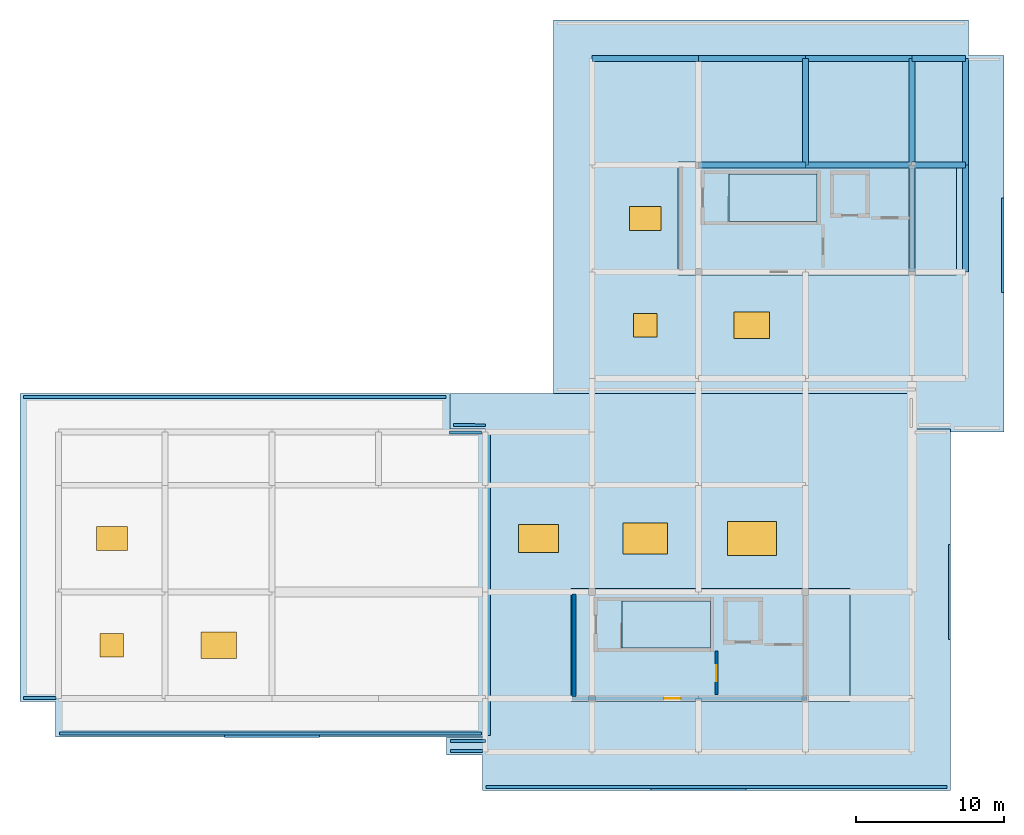
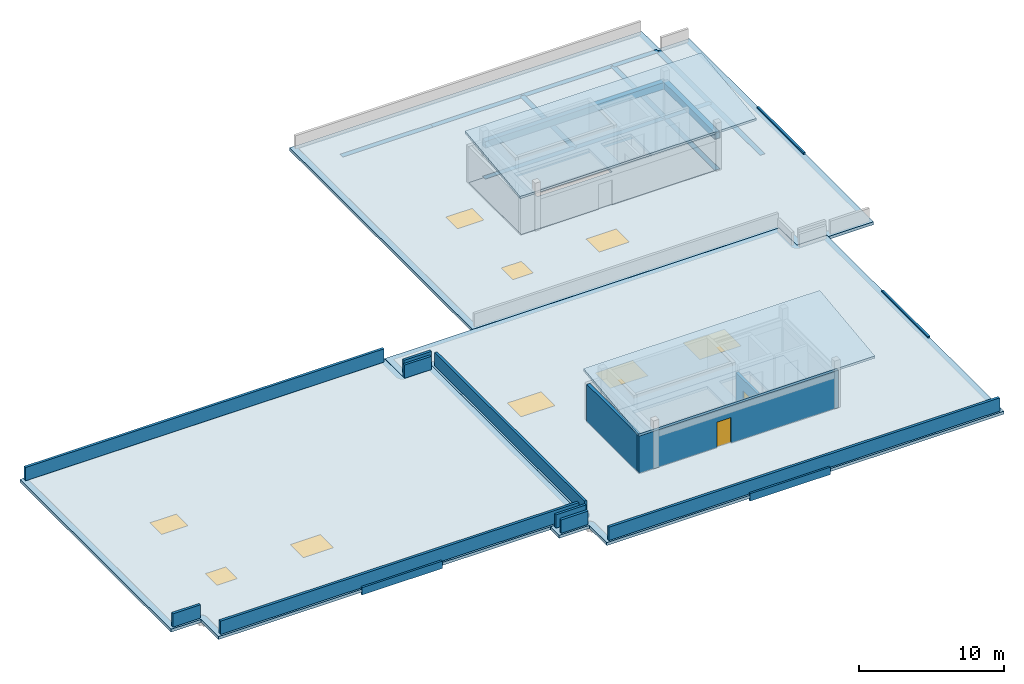
# One storey, part 2 of 4: 14 beams, 12 walls, 9 windows, 7 slabs, 4 plates, 2 doors, 11 openings.
"""IFC4 building model written with IfcOpenShell, lengths in metres."""

from ifc_helpers import new_model, si_unit, direction, frame, frame_2d, origin, origin_2d, place, context, subcontext, project, spatial, polyline, rectangle, outline, extrude, material, layer, layer_set, material_profile, profile_set, type_object, element, fill, save


model = new_model("IFC4")

# Units and contexts
model_context = context("Model", 3, precision=1e-05, world=origin(), true_north=direction((0.0, 1.0)))
body_context = subcontext(model_context, "Body", "Model", "MODEL_VIEW")
ifc_project = project(units=[si_unit("LENGTHUNIT", "METRE"), si_unit("AREAUNIT", "SQUARE_METRE"), si_unit("VOLUMEUNIT", "CUBIC_METRE"), si_unit("PLANEANGLEUNIT", "RADIAN"), si_unit("MASSUNIT", "GRAM", prefix="KILO")], contexts=[model_context])

# Site, building, storey
site_placement = place(None, origin())
site = spatial("IfcSite", under=ifc_project, at=site_placement, CompositionType="ELEMENT")
building_placement = place(site_placement, origin())
building = spatial("IfcBuilding", under=site, at=building_placement, Name="Seraya Terrace Polytechnic", CompositionType="ELEMENT")
storey_placement = place(building_placement, frame((0.0, 0.0, 36.89990234375)))
storey = spatial("IfcBuildingStorey", under=building, at=storey_placement, Name="RF", CompositionType="ELEMENT", Elevation=36.89990234375)

# Beams
ifc_material_1 = material(Name="Concrete C40/50", Category="concrete")
ifc_material_profile_1 = material_profile(ifc_material_1, rectangle(XDim=0.39990234375, YDim=0.699951171875, at=origin_2d()), Name="RC 400x700")
ifc_profile_set_1 = profile_set([ifc_material_profile_1], Name="Concrete C40/50")
beam_type_1 = type_object("IfcBeamType", Name="BM-10", PredefinedType="BEAM", material=ifc_profile_set_1)
beam_1_placement = place(storey_placement, frame((86.39990234375, 43.199951171875, -0.349853515625), z_axis=(1.0, 0.0, 0.0), x_axis=(0.0, 1.0, 0.0)))
element("IfcBeam", 1, at=beam_1_placement, inside=storey, type_object=beam_type_1, Name="Beam BM-10 RF X (86.4..93.6, 43.2)", PredefinedType="BEAM", context=body_context, shape_type="SweptSolid", body=[
    extrude(rectangle(XDim=0.39990234375, YDim=0.699951171875, at=origin_2d()), origin(), (0.0, 0.0, 1.0), 7.2001953125),
])
beam_2_placement = place(storey_placement, frame((93.60009765625, 43.199951171875, -0.349853515625), z_axis=(1.0, 0.0, 0.0), x_axis=(0.0, 1.0, 0.0)))
element("IfcBeam", 2, at=beam_2_placement, inside=storey, type_object=beam_type_1, Name="Beam BM-10 RF X (93.6..100.8, 43.2)", PredefinedType="BEAM", context=body_context, shape_type="SweptSolid", body=[
    extrude(rectangle(XDim=0.39990234375, YDim=0.699951171875, at=origin_2d()), origin(), (0.0, 0.0, 1.0), 7.199951171875),
])
beam_3_placement = place(storey_placement, frame((100.800048828125, 43.199951171875, -0.349853515625), z_axis=(1.0, 0.0, 0.0), x_axis=(0.0, 1.0, 0.0)))
element("IfcBeam", 3, at=beam_3_placement, inside=storey, type_object=beam_type_1, Name="Beam BM-10 RF X (100.8..104.4, 43.2)", PredefinedType="BEAM", context=body_context, shape_type="SweptSolid", body=[
    extrude(rectangle(XDim=0.39990234375, YDim=0.699951171875, at=origin_2d()), origin(), (0.0, 0.0, 1.0), 3.599853515625),
])
beam_4_placement = place(storey_placement, frame((79.199951171875, 50.39990234375, -0.349853515625), z_axis=(1.0, 0.0, 0.0), x_axis=(0.0, 1.0, 0.0)))
element("IfcBeam", 4, at=beam_4_placement, inside=storey, type_object=beam_type_1, Name="Beam BM-10 RF X (79.2..86.4, 50.4)", PredefinedType="BEAM", context=body_context, shape_type="SweptSolid", body=[
    extrude(rectangle(XDim=0.39990234375, YDim=0.699951171875, at=origin_2d()), origin(), (0.0, 0.0, 1.0), 7.199951171875),
])
beam_5_placement = place(storey_placement, frame((86.39990234375, 50.39990234375, -0.349853515625), z_axis=(1.0, 0.0, 0.0), x_axis=(0.0, 1.0, 0.0)))
element("IfcBeam", 5, at=beam_5_placement, inside=storey, type_object=beam_type_1, Name="Beam BM-10 RF X (86.4..93.6, 50.4)", PredefinedType="BEAM", context=body_context, shape_type="SweptSolid", body=[
    extrude(rectangle(XDim=0.39990234375, YDim=0.699951171875, at=origin_2d()), origin(), (0.0, 0.0, 1.0), 7.2001953125),
])
beam_6_placement = place(storey_placement, frame((93.60009765625, 50.39990234375, -0.349853515625), z_axis=(1.0, 0.0, 0.0), x_axis=(0.0, 1.0, 0.0)))
element("IfcBeam", 6, at=beam_6_placement, inside=storey, type_object=beam_type_1, Name="Beam BM-10 RF X (93.6..100.8, 50.4)", PredefinedType="BEAM", context=body_context, shape_type="SweptSolid", body=[
    extrude(rectangle(XDim=0.39990234375, YDim=0.699951171875, at=origin_2d()), origin(), (0.0, 0.0, 1.0), 7.199951171875),
])
beam_7_placement = place(storey_placement, frame((100.800048828125, 50.39990234375, -0.349853515625), z_axis=(1.0, 0.0, 0.0), x_axis=(0.0, 1.0, 0.0)))
element("IfcBeam", 7, at=beam_7_placement, inside=storey, type_object=beam_type_1, Name="Beam BM-10 RF X (100.8..104.4, 50.4)", PredefinedType="BEAM", context=body_context, shape_type="SweptSolid", body=[
    extrude(rectangle(XDim=0.39990234375, YDim=0.699951171875, at=origin_2d()), origin(), (0.0, 0.0, 1.0), 3.599853515625),
])
for number, where, z_axis, x_axis, name in (
    (8, (93.60009765625, 43.199951171875, -0.349853515625), (0.0, 1.0, 0.0), (-1.0, 0.0, 0.0), "Beam BM-10 RF Y (93.6, 43.2..50.4)"),
    (9, (100.800048828125, 36.0, -0.349853515625), (0.0, 1.0, 0.0), (-1.0, 0.0, 0.0), "Beam BM-10 RF Y (100.8, 36.0..43.2)"),
    (10, (100.800048828125, 43.199951171875, -0.349853515625), (0.0, 1.0, 0.0), (-1.0, 0.0, 0.0), "Beam BM-10 RF Y (100.8, 43.2..50.4)"),
    (11, (104.39990234375, 36.0, -0.349853515625), (0.0, 1.0, 0.0), (-1.0, 0.0, 0.0), "Beam BM-10 RF Y (104.4, 36.0..43.2)"),
    (12, (104.39990234375, 43.199951171875, -0.349853515625), (0.0, 1.0, 0.0), (-1.0, 0.0, 0.0), "Beam BM-10 RF Y (104.4, 43.2..50.4)"),
):
    element("IfcBeam", number, at=place(storey_placement, frame(where, z_axis=z_axis, x_axis=x_axis)), inside=storey, type_object=beam_type_1, Name=name, PredefinedType="BEAM", context=body_context, shape_type="SweptSolid", body=[
        extrude(rectangle(XDim=0.39990234375, YDim=0.699951171875, at=origin_2d()), origin(), (0.0, 0.0, 1.0), 7.199951171875),
    ])
ifc_material_profile_2 = material_profile(ifc_material_1, rectangle(XDim=0.39990234375, YDim=0.550048828125, at=origin_2d()), Name="RC 400x550")
ifc_profile_set_2 = profile_set([ifc_material_profile_2], Name="Concrete C40/50")
beam_type_2 = type_object("IfcBeamType", Name="BM-11", PredefinedType="BEAM", material=ifc_profile_set_2)
beam_8_placement = place(storey_placement, frame((86.39990234375, 43.199951171875, 2.875), z_axis=(1.0, 0.0, 0.0), x_axis=(0.0, 1.0, 0.0)))
element("IfcBeam", 13, at=beam_8_placement, inside=storey, type_object=beam_type_2, Name="Headhouse roof tie beam BM-RF-HHB-N", PredefinedType="BEAM", context=body_context, shape_type="SweptSolid", body=[
    extrude(rectangle(XDim=0.39990234375, YDim=0.550048828125, at=origin_2d()), origin(), (0.0, 0.0, 1.0), 14.400146484375),
])
beam_9_placement = place(storey_placement, frame((100.800048828125, 36.0, 2.875), z_axis=(0.0, 1.0, 0.0), x_axis=(-1.0, 0.0, 0.0)))
element("IfcBeam", 14, at=beam_9_placement, inside=storey, type_object=beam_type_2, Name="Headhouse roof tie beam BM-RF-HHB-E", PredefinedType="BEAM", context=body_context, shape_type="SweptSolid", body=[
    extrude(rectangle(XDim=0.39990234375, YDim=0.550048828125, at=origin_2d()), origin(), (0.0, 0.0, 1.0), 7.199951171875),
])

# Plates
ifc_material_2 = material(Name="Precast concrete C40/50", Category="concrete")
ifc_layer_1 = layer(ifc_material_2, 0.159912109375, Name="FP-01")
ifc_layer_set_1 = layer_set([ifc_layer_1], Name="Precast concrete C40/50")
plate_type = type_object("IfcPlateType", Name="FP-01", PredefinedType="SHEET", material=ifc_layer_set_1)
for number, where, z_axis, x_axis, name in (
    (15, (57.60009765625, 4.669921875, -0.489990234375), (0.0, 0.0, 1.0), (1.0, 0.0, 0.0), "Sculpted white precast eave fascia ROOF-RF-SW South"),
    (16, (86.39990234375, 1.070068359375, -0.489990234375), (0.0, 0.0, 1.0), (1.0, 0.0, 0.0), "Sculpted white precast eave fascia ROOF-RF-SE South"),
    (17, (103.330078125, 14.39990234375, -0.489990234375), (0.0, 0.0, 1.0), (0.0, 1.0, 0.0), "Sculpted white precast eave fascia ROOF-RF-SE East"),
    (18, (106.929931640625, 37.800048828125, -0.489990234375), (0.0, 0.0, 1.0), (0.0, 1.0, 0.0), "Sculpted white precast eave fascia ROOF-RF-SPINE East"),
):
    element("IfcPlate", number, at=place(storey_placement, frame(where, z_axis=z_axis, x_axis=x_axis)), inside=storey, type_object=plate_type, Name=name, PredefinedType="SHEET", context=body_context, shape_type="SweptSolid", body=[
        extrude(rectangle(XDim=6.39990234375, YDim=0.159912109375, at=origin_2d()), origin(), (0.0, 0.0, 1.0), 0.6201171875),
    ])

# Slabs
ifc_layer_2 = layer(ifc_material_1, 0.239990234375, Name="FS-12")
ifc_layer_set_2 = layer_set([ifc_layer_2], Name="Concrete C40/50")
slab_type_1 = type_object("IfcSlabType", Name="FS-12", PredefinedType="FLOOR", material=ifc_layer_set_2)
slab_1_placement = place(storey_placement, frame((0.0, 0.0, -0.239990234375)))
element("IfcSlab", 19, at=slab_1_placement, inside=storey, type_object=slab_type_1, Name="Floor slab SLB-RF-HEADHOUSE-A (FS-12)", PredefinedType="FLOOR", context=body_context, shape_type="SweptSolid", body=[
    extrude(outline(polyline([(78.0, 7.199951171875), (78.0, 14.39990234375), (93.60009765625, 14.39990234375), (93.60009765625, 7.199951171875), (78.0, 7.199951171875)]), holes=[polyline([(81.239990234375, 10.60009765625), (87.199951171875, 10.60009765625), (87.199951171875, 13.800048828125), (81.239990234375, 13.800048828125), (81.239990234375, 10.60009765625)]), polyline([(88.199951171875, 11.0), (90.60009765625, 11.0), (90.60009765625, 13.89990234375), (88.199951171875, 13.89990234375), (88.199951171875, 11.0)])]), origin(), (0.0, 0.0, 1.0), 0.239990234375),
])
slab_2_placement = place(storey_placement, frame((0.0, 0.0, -0.239990234375)))
element("IfcSlab", 20, at=slab_2_placement, inside=storey, type_object=slab_type_1, Name="Floor slab SLB-RF-HEADHOUSE-B (FS-12)", PredefinedType="FLOOR", context=body_context, shape_type="SweptSolid", body=[
    extrude(outline(polyline([(85.199951171875, 36.0), (85.199951171875, 43.199951171875), (100.800048828125, 43.199951171875), (100.800048828125, 36.0), (85.199951171875, 36.0)]), holes=[polyline([(88.43994140625, 39.39990234375), (94.39990234375, 39.39990234375), (94.39990234375, 42.60009765625), (88.43994140625, 42.60009765625), (88.43994140625, 39.39990234375)]), polyline([(95.39990234375, 39.800048828125), (97.800048828125, 39.800048828125), (97.800048828125, 42.699951171875), (95.39990234375, 42.699951171875), (95.39990234375, 39.800048828125)])]), origin(), (0.0, 0.0, 1.0), 0.239990234375),
])

# Slab, openings, windows
ifc_layer_3 = layer(ifc_material_2, 0.25, Name="RS-01")
ifc_layer_set_3 = layer_set([ifc_layer_3], Name="Precast concrete C40/50")
slab_type_2 = type_object("IfcSlabType", Name="RS-01", PredefinedType="ROOF", material=ifc_layer_set_3)
slab_3_placement = place(storey_placement, frame((0.0, 0.0, -0.25)))
slab_3 = element("IfcSlab", 21, at=slab_3_placement, inside=storey, type_object=slab_type_2, Name="Sculpted overhanging precast roof plate ROOF-RF-SW", PredefinedType="ROOF", context=body_context, shape_type="SweptSolid", body=[
    extrude(outline(polyline([(43.0, 7.0), (40.60009765625, 7.0), (40.60009765625, 27.800048828125), (69.60009765625, 27.800048828125), (69.60009765625, 25.39990234375), (72.0, 25.39990234375), (72.0, 4.60009765625), (43.0, 4.60009765625), (43.0, 7.0)])), origin(), (0.0, 0.0, 1.0), 0.25),
])
opening_1_placement = place(slab_3_placement, frame((46.800048828125, 10.800048828125, -0.011962890625)))
opening_1 = element("IfcOpeningElement", 22, at=opening_1_placement, cuts=slab_3, Name="Opening SK-01", PredefinedType="OPENING", context=body_context, shape_type="SweptSolid", body=[
    extrude(rectangle(XDim=1.60009765625, YDim=1.60009765625, at=origin_2d()), origin(), (0.0, 0.0, 1.0), 0.27392578125),
])
opening_2_placement = place(slab_3_placement, frame((46.800048828125, 18.0, -0.011962890625)))
opening_2 = element("IfcOpeningElement", 23, at=opening_2_placement, cuts=slab_3, Name="Opening SK-02", PredefinedType="OPENING", context=body_context, shape_type="SweptSolid", body=[
    extrude(rectangle(XDim=2.10009765625, YDim=1.60009765625, at=origin_2d()), origin(), (0.0, 0.0, 1.0), 0.27392578125),
])
opening_3_placement = place(slab_3_placement, frame((54.0, 10.800048828125, -0.011962890625)))
opening_3 = element("IfcOpeningElement", 24, at=opening_3_placement, cuts=slab_3, Name="Opening SK-03", PredefinedType="OPENING", context=body_context, shape_type="SweptSolid", body=[
    extrude(rectangle(XDim=2.39990234375, YDim=1.800048828125, at=origin_2d()), origin(), (0.0, 0.0, 1.0), 0.27392578125),
])
ifc_material_3 = material(Name="Laminated solar-control Low-E double glazing", Category="glass")
window_type_1 = type_object("IfcWindowType", Name="SK-01", PartitioningType="SINGLE_PANEL", PredefinedType="SKYLIGHT", material=ifc_material_3)
window_1_placement = place(slab_3_placement, frame((46.800048828125, 10.800048828125, 0.199951171875)))
window_1 = element("IfcWindow", 25, at=window_1_placement, inside=storey, type_object=window_type_1, Name="Roof skylight and smoke hatch SK-01 #13", OverallHeight=1.60009765625, OverallWidth=1.60009765625, PartitioningType="SINGLE_PANEL", PredefinedType="SKYLIGHT", context=body_context, shape_type="SweptSolid", body=[
    extrude(rectangle(XDim=1.60009765625, YDim=1.60009765625, at=origin_2d()), origin(), (0.0, 0.0, 1.0), 0.050048828125),
])
fill(opening_1, window_1)
window_type_2 = type_object("IfcWindowType", Name="SK-02", PartitioningType="SINGLE_PANEL", PredefinedType="SKYLIGHT", material=ifc_material_3)
window_2_placement = place(slab_3_placement, frame((46.800048828125, 18.0, 0.199951171875)))
window_2 = element("IfcWindow", 26, at=window_2_placement, inside=storey, type_object=window_type_2, Name="Roof skylight and smoke hatch SK-02 #14", OverallHeight=1.60009765625, OverallWidth=2.10009765625, PartitioningType="SINGLE_PANEL", PredefinedType="SKYLIGHT", context=body_context, shape_type="SweptSolid", body=[
    extrude(rectangle(XDim=2.10009765625, YDim=1.60009765625, at=origin_2d()), origin(), (0.0, 0.0, 1.0), 0.050048828125),
])
fill(opening_2, window_2)
window_type_3 = type_object("IfcWindowType", Name="SK-03", PartitioningType="SINGLE_PANEL", PredefinedType="SKYLIGHT", material=ifc_material_3)
window_3_placement = place(slab_3_placement, frame((54.0, 10.800048828125, 0.199951171875)))
window_3 = element("IfcWindow", 27, at=window_3_placement, inside=storey, type_object=window_type_3, Name="Roof skylight and smoke hatch SK-03 #15", OverallHeight=1.800048828125, OverallWidth=2.39990234375, PartitioningType="SINGLE_PANEL", PredefinedType="SKYLIGHT", context=body_context, shape_type="SweptSolid", body=[
    extrude(rectangle(XDim=2.39990234375, YDim=1.800048828125, at=origin_2d()), origin(), (0.0, 0.0, 1.0), 0.050048828125),
])
fill(opening_3, window_3)

slab_4_placement = place(storey_placement, frame((0.0, 0.0, -0.25)))
slab_4 = element("IfcSlab", 28, at=slab_4_placement, inside=storey, type_object=slab_type_2, Name="Sculpted overhanging precast roof plate ROOF-RF-SE", PredefinedType="ROOF", context=body_context, shape_type="SweptSolid", body=[
    extrude(outline(polyline([(101.0, 27.800048828125), (101.0, 25.39990234375), (103.39990234375, 25.39990234375), (103.39990234375, 1.0), (71.800048828125, 1.0), (71.800048828125, 3.39990234375), (69.39990234375, 3.39990234375), (69.39990234375, 4.594970703125), (72.0048828125, 4.60009765625), (72.0048828125, 25.400390625), (69.60498046875, 25.405029296875), (69.60498046875, 27.800048828125), (101.0, 27.800048828125)]), holes=[polyline([(93.60009765625, 7.195068359375), (93.601806640625, 14.404541015625), (77.995361328125, 14.40185546875), (77.998046875, 7.1953125), (93.60009765625, 7.195068359375)])]), origin(), (0.0, 0.0, 1.0), 0.25),
])
opening_4_placement = place(slab_4_placement, frame((75.60009765625, 18.0, -0.011962890625)))
opening_4 = element("IfcOpeningElement", 29, at=opening_4_placement, cuts=slab_4, Name="Opening SK-04", PredefinedType="OPENING", context=body_context, shape_type="SweptSolid", body=[
    extrude(rectangle(XDim=2.699951171875, YDim=1.89990234375, at=origin_2d()), origin(), (0.0, 0.0, 1.0), 0.27392578125),
])
opening_5_placement = place(slab_4_placement, frame((82.800048828125, 18.0, -0.011962890625)))
opening_5 = element("IfcOpeningElement", 30, at=opening_5_placement, cuts=slab_4, Name="Opening SK-05", PredefinedType="OPENING", context=body_context, shape_type="SweptSolid", body=[
    extrude(rectangle(XDim=3.0, YDim=2.10009765625, at=origin_2d()), origin(), (0.0, 0.0, 1.0), 0.27392578125),
])
opening_6_placement = place(slab_4_placement, frame((90.0, 18.0, -0.011962890625)))
opening_6 = element("IfcOpeningElement", 31, at=opening_6_placement, cuts=slab_4, Name="Opening SK-06", PredefinedType="OPENING", context=body_context, shape_type="SweptSolid", body=[
    extrude(rectangle(XDim=3.300048828125, YDim=2.300048828125, at=origin_2d()), origin(), (0.0, 0.0, 1.0), 0.27392578125),
])
window_type_4 = type_object("IfcWindowType", Name="SK-04", PartitioningType="SINGLE_PANEL", PredefinedType="SKYLIGHT", material=ifc_material_3)
window_4_placement = place(slab_4_placement, frame((75.60009765625, 18.0, 0.199951171875)))
window_4 = element("IfcWindow", 32, at=window_4_placement, inside=storey, type_object=window_type_4, Name="Roof skylight and smoke hatch SK-04 #16", OverallHeight=1.89990234375, OverallWidth=2.699951171875, PartitioningType="SINGLE_PANEL", PredefinedType="SKYLIGHT", context=body_context, shape_type="SweptSolid", body=[
    extrude(rectangle(XDim=2.699951171875, YDim=1.89990234375, at=origin_2d()), origin(), (0.0, 0.0, 1.0), 0.050048828125),
])
fill(opening_4, window_4)
window_type_5 = type_object("IfcWindowType", Name="SK-05", PartitioningType="SINGLE_PANEL", PredefinedType="SKYLIGHT", material=ifc_material_3)
window_5_placement = place(slab_4_placement, frame((82.800048828125, 18.0, 0.199951171875)))
window_5 = element("IfcWindow", 33, at=window_5_placement, inside=storey, type_object=window_type_5, Name="Roof skylight and smoke hatch SK-05 #17", OverallHeight=2.10009765625, OverallWidth=3.0, PartitioningType="SINGLE_PANEL", PredefinedType="SKYLIGHT", context=body_context, shape_type="SweptSolid", body=[
    extrude(rectangle(XDim=3.0, YDim=2.10009765625, at=origin_2d()), origin(), (0.0, 0.0, 1.0), 0.050048828125),
])
fill(opening_5, window_5)
window_type_6 = type_object("IfcWindowType", Name="SK-06", PartitioningType="SINGLE_PANEL", PredefinedType="SKYLIGHT", material=ifc_material_3)
window_6_placement = place(slab_4_placement, frame((90.0, 18.0, 0.199951171875)))
window_6 = element("IfcWindow", 34, at=window_6_placement, inside=storey, type_object=window_type_6, Name="Roof skylight and smoke hatch SK-06 #18", OverallHeight=2.300048828125, OverallWidth=3.300048828125, PartitioningType="SINGLE_PANEL", PredefinedType="SKYLIGHT", context=body_context, shape_type="SweptSolid", body=[
    extrude(rectangle(XDim=3.300048828125, YDim=2.300048828125, at=origin_2d()), origin(), (0.0, 0.0, 1.0), 0.050048828125),
])
fill(opening_6, window_6)

slab_5_placement = place(storey_placement, frame((0.0, 0.0, -0.25)))
slab_5 = element("IfcSlab", 35, at=slab_5_placement, inside=storey, type_object=slab_type_2, Name="Sculpted overhanging precast roof plate ROOF-RF-SPINE", PredefinedType="ROOF", context=body_context, shape_type="SweptSolid", body=[
    extrude(outline(polyline([(76.60009765625, 53.0), (104.60009765625, 53.0), (104.60009765625, 50.60009765625), (107.0, 50.60009765625), (107.0, 25.199951171875), (103.405029296875, 25.199951171875), (103.400390625, 25.405029296875), (101.0048828125, 25.405029296875), (101.00048828125, 27.804931640625), (76.60009765625, 27.804931640625), (76.60009765625, 53.0)]), holes=[polyline([(85.199951171875, 35.9951171875), (100.802001953125, 35.995361328125), (100.8046875, 43.201904296875), (85.197998046875, 43.20458984375), (85.199951171875, 35.9951171875)])]), origin(), (0.0, 0.0, 1.0), 0.25),
])
opening_7_placement = place(slab_5_placement, frame((82.800048828125, 32.39990234375, -0.011962890625)))
opening_7 = element("IfcOpeningElement", 36, at=opening_7_placement, cuts=slab_5, Name="Opening SK-01", PredefinedType="OPENING", context=body_context, shape_type="SweptSolid", body=[
    extrude(rectangle(XDim=1.60009765625, YDim=1.60009765625, at=origin_2d()), origin(), (0.0, 0.0, 1.0), 0.27392578125),
])
opening_8_placement = place(slab_5_placement, frame((82.800048828125, 39.60009765625, -0.011962890625)))
opening_8 = element("IfcOpeningElement", 37, at=opening_8_placement, cuts=slab_5, Name="Opening SK-02", PredefinedType="OPENING", context=body_context, shape_type="SweptSolid", body=[
    extrude(rectangle(XDim=2.10009765625, YDim=1.60009765625, at=origin_2d()), origin(), (0.0, 0.0, 1.0), 0.27392578125),
])
opening_9_placement = place(slab_5_placement, frame((90.0, 32.39990234375, -0.011962890625)))
opening_9 = element("IfcOpeningElement", 38, at=opening_9_placement, cuts=slab_5, Name="Opening SK-03", PredefinedType="OPENING", context=body_context, shape_type="SweptSolid", body=[
    extrude(rectangle(XDim=2.39990234375, YDim=1.800048828125, at=origin_2d()), origin(), (0.0, 0.0, 1.0), 0.27392578125),
])
window_7_placement = place(slab_5_placement, frame((82.800048828125, 32.39990234375, 0.199951171875)))
window_7 = element("IfcWindow", 39, at=window_7_placement, inside=storey, type_object=window_type_1, Name="Roof skylight and smoke hatch SK-01 #19", OverallHeight=1.60009765625, OverallWidth=1.60009765625, PartitioningType="SINGLE_PANEL", PredefinedType="SKYLIGHT", context=body_context, shape_type="SweptSolid", body=[
    extrude(rectangle(XDim=1.60009765625, YDim=1.60009765625, at=origin_2d()), origin(), (0.0, 0.0, 1.0), 0.050048828125),
])
fill(opening_7, window_7)
window_8_placement = place(slab_5_placement, frame((82.800048828125, 39.60009765625, 0.199951171875)))
window_8 = element("IfcWindow", 40, at=window_8_placement, inside=storey, type_object=window_type_2, Name="Roof skylight and smoke hatch SK-02 #20", OverallHeight=1.60009765625, OverallWidth=2.10009765625, PartitioningType="SINGLE_PANEL", PredefinedType="SKYLIGHT", context=body_context, shape_type="SweptSolid", body=[
    extrude(rectangle(XDim=2.10009765625, YDim=1.60009765625, at=origin_2d()), origin(), (0.0, 0.0, 1.0), 0.050048828125),
])
fill(opening_8, window_8)
window_9_placement = place(slab_5_placement, frame((90.0, 32.39990234375, 0.199951171875)))
window_9 = element("IfcWindow", 41, at=window_9_placement, inside=storey, type_object=window_type_3, Name="Roof skylight and smoke hatch SK-03 #21", OverallHeight=1.800048828125, OverallWidth=2.39990234375, PartitioningType="SINGLE_PANEL", PredefinedType="SKYLIGHT", context=body_context, shape_type="SweptSolid", body=[
    extrude(rectangle(XDim=2.39990234375, YDim=1.800048828125, at=origin_2d()), origin(), (0.0, 0.0, 1.0), 0.050048828125),
])
fill(opening_9, window_9)

# Slabs
ifc_layer_4 = layer(ifc_material_1, 0.2099609375, Name="RS-05")
ifc_layer_set_4 = layer_set([ifc_layer_4], Name="Concrete C40/50")
slab_type_3 = type_object("IfcSlabType", Name="RS-05", PredefinedType="ROOF", material=ifc_layer_set_4)
slab_6_placement = place(storey_placement, frame((77.800048828125, 7.0, 3.380126953125), z_axis=(0.0, -0.120163745397, 0.992754085508), x_axis=(1.0, 0.0, 0.0)))
element("IfcSlab", 42, at=slab_6_placement, inside=storey, type_object=slab_type_3, Name="Core Core A overrun roof slab", PredefinedType="ROOF", context=body_context, shape_type="SweptSolid", body=[
    extrude(outline(polyline([(0.0, 0.0), (18.800048828125, 0.0), (18.800048828125, 7.655569256472065), (0.0, 7.655569256472065), (0.0, 0.0)])), origin(), (0.0, 0.0, -1.0), 0.2099609375),
])
slab_7_placement = place(storey_placement, frame((85.0, 35.800048828125, 3.380126953125), z_axis=(0.0, -0.120167549842, 0.992753625007), x_axis=(1.0, 0.0, 0.0)))
element("IfcSlab", 43, at=slab_7_placement, inside=storey, type_object=slab_type_3, Name="Core Core B overrun roof slab", PredefinedType="ROOF", context=body_context, shape_type="SweptSolid", body=[
    extrude(outline(polyline([(0.0, 0.0), (18.800048828125, 0.0), (18.800048828125, 7.655326884925369), (0.0, 7.655326884925369), (0.0, 0.0)])), origin(), (0.0, 0.0, -1.0), 0.2099609375),
])

# Wall, opening, door
ifc_layer_5 = layer(ifc_material_2, 0.260009765625, Name="EW-03")
ifc_layer_set_5 = layer_set([ifc_layer_5], Name="Precast concrete C40/50")
wall_type_1 = type_object("IfcWallType", Name="EW-03", PredefinedType="SOLIDWALL", material=ifc_layer_set_5)
wall_1_placement = place(storey_placement, frame((77.8701171875, 7.199951171875, 0.0), z_axis=(0.0, 0.0, 1.0), x_axis=(1.0, 0.0, 0.0)))
wall_1 = element("IfcWall", 44, at=wall_1_placement, inside=storey, type_object=wall_type_1, Name="Roof headhouse South wall RF", PredefinedType="SOLIDWALL", context=body_context, shape_type="SweptSolid", body=[
    extrude(rectangle(XDim=15.85986328125, YDim=0.260009765625, at=frame_2d((7.929931640625, 0.0))), origin(), (0.0, 0.0, 1.0), 3.150146484375),
])
opening_10_placement = place(wall_1_placement, frame((6.199951171875, 0.0, 0.0)))
opening_10 = element("IfcOpeningElement", 45, at=opening_10_placement, cuts=wall_1, Name="Opening FD-R1", PredefinedType="OPENING", context=body_context, shape_type="SweptSolid", body=[
    extrude(rectangle(XDim=1.1201171875, YDim=2.14990234375, at=frame_2d((0.56005859375, 1.074951171875))), frame((0.0, 0.14208984375, 0.0), z_axis=(0.0, -1.0, 0.0), x_axis=(1.0, 0.0, 0.0)), (0.0, 0.0, 1.0), 0.283935546875),
])
ifc_material_4 = material(Name="Steel S355J2", Category="steel")
door_type_1 = type_object("IfcDoorType", Name="FD-R1", OperationType="SINGLE_SWING_RIGHT", PredefinedType="DOOR", material=ifc_material_4)
door_1_placement = place(opening_10_placement, frame((1.1201171875, 0.0, 0.0), z_axis=(0.0, 0.0, 1.0), x_axis=(-1.0, 0.0, 0.0)))
door_1 = element("IfcDoor", 46, at=door_1_placement, inside=storey, type_object=door_type_1, Name="Door FD-R1 DR-RF-MAINTENANCE-ACCESS-01 in WL-RF-HH-S", OperationType="SINGLE_SWING_RIGHT", OverallHeight=2.14990234375, OverallWidth=1.1201171875, PredefinedType="DOOR", context=body_context, shape_type="SweptSolid", body=[
    extrude(rectangle(XDim=1.1201171875, YDim=2.14990234375, at=frame_2d((0.56005859375, 1.074951171875))), frame((0.0, 0.02490234375, 0.0), z_axis=(0.0, -1.0, 0.0), x_axis=(1.0, 0.0, 0.0)), (0.0, 0.0, 1.0), 0.050048828125),
])
fill(opening_10, door_1)

# Wall
wall_2_placement = place(storey_placement, frame((78.0, 7.330078125, 0.0), z_axis=(0.0, 0.0, 1.0), x_axis=(0.0, 1.0, 0.0)))
element("IfcWall", 47, at=wall_2_placement, inside=storey, type_object=wall_type_1, Name="Roof headhouse West wall RF", PredefinedType="SOLIDWALL", context=body_context, shape_type="SweptSolid", body=[
    extrude(rectangle(XDim=6.93994140625, YDim=0.260009765625, at=frame_2d((3.469970703125, 0.0))), origin(), (0.0, 0.0, 1.0), 3.150146484375),
])

# Wall, opening, door
ifc_material_5 = material(Name="Autoclaved aerated concrete blockwork", Category="masonry")
ifc_layer_6 = layer(ifc_material_5, 0.199951171875, Name="PT-01")
ifc_layer_set_6 = layer_set([ifc_layer_6], Name="Autoclaved aerated concrete blockwork")
wall_type_2 = type_object("IfcWallType", Name="PT-01", PredefinedType="PARTITIONING", material=ifc_layer_set_6)
wall_3_placement = place(storey_placement, frame((87.60009765625, 7.47998046875, 0.0), z_axis=(0.0, 0.0, 1.0), x_axis=(0.0, 1.0, 0.0)))
wall_3 = element("IfcWall", 48, at=wall_3_placement, inside=storey, type_object=wall_type_2, Name="Roof plant partition WL-RF-INT-MCH", PredefinedType="PARTITIONING", context=body_context, shape_type="SweptSolid", body=[
    extrude(rectangle(XDim=2.919921875, YDim=0.199951171875, at=frame_2d((1.4599609375, 0.0))), origin(), (0.0, 0.0, 1.0), 3.1201171875),
])
opening_11_placement = place(wall_3_placement, frame((0.89990234375, 0.0, 0.0)))
opening_11 = element("IfcOpeningElement", 49, at=opening_11_placement, cuts=wall_3, Name="Opening FD-04", PredefinedType="OPENING", context=body_context, shape_type="SweptSolid", body=[
    extrude(rectangle(XDim=1.06005859375, YDim=2.159912109375, at=frame_2d((0.530029296875, 1.080078125))), frame((0.0, 0.11181640625, 0.0), z_axis=(0.0, -1.0, 0.0), x_axis=(1.0, 0.0, 0.0)), (0.0, 0.0, 1.0), 0.223876953125),
])
door_type_2 = type_object("IfcDoorType", Name="FD-04", OperationType="NOTDEFINED", PredefinedType="DOOR", material=ifc_material_4)
door_2_placement = place(opening_11_placement, origin())
door_2 = element("IfcDoor", 50, at=door_2_placement, inside=storey, type_object=door_type_2, Name="Door FD-04 DR-RF-INT-MCH in WL-RF-INT-MCH", OperationType="SINGLE_SWING_LEFT", OverallHeight=2.159912109375, OverallWidth=1.06005859375, PredefinedType="DOOR", context=body_context, shape_type="SweptSolid", body=[
    extrude(rectangle(XDim=1.06005859375, YDim=2.159912109375, at=frame_2d((0.530029296875, 1.080078125))), frame((0.0, 0.02490234375, 0.0), z_axis=(0.0, -1.0, 0.0), x_axis=(1.0, 0.0, 0.0)), (0.0, 0.0, 1.0), 0.050048828125),
])
fill(opening_11, door_2)

# Walls
ifc_layer_7 = layer(ifc_material_2, 0.199951171875, Name="PW-P1")
ifc_layer_set_7 = layer_set([ifc_layer_7], Name="Precast concrete C40/50")
wall_type_3 = type_object("IfcWallType", Name="PW-P1", PredefinedType="PARAPET", material=ifc_layer_set_7)
wall_4_placement = place(storey_placement, frame((43.0244140625, 7.248779296875, 0.0), z_axis=(0.0, 0.0, 1.0), x_axis=(-0.999999842404, 0.000561419179, 0.0)))
element("IfcWall", 51, at=wall_4_placement, inside=storey, type_object=wall_type_3, Name="Roof parapet ROOF-RF-SW 5.1", PredefinedType="PARAPET", context=body_context, shape_type="SweptSolid", body=[
    extrude(rectangle(XDim=2.17431640625, YDim=0.199951171875, at=frame_2d((1.087158203125, 0.0))), origin(), (0.0, 0.0, 1.0), 1.1201171875),
])
wall_5_placement = place(storey_placement, frame((40.85009765625, 27.550048828125, 0.0), z_axis=(0.0, 0.0, 1.0), x_axis=(1.0, 0.0, 0.0)))
element("IfcWall", 52, at=wall_5_placement, inside=storey, type_object=wall_type_3, Name="Roof parapet ROOF-RF-SW 7.1", PredefinedType="PARAPET", context=body_context, shape_type="SweptSolid", body=[
    extrude(rectangle(XDim=28.5, YDim=0.199951171875, at=frame_2d((14.25, 0.0))), origin(), (0.0, 0.0, 1.0), 1.1201171875),
])
wall_6_placement = place(storey_placement, frame((69.60009765625, 25.14990234375, 0.0), z_axis=(0.0, 0.0, 1.0), x_axis=(1.0, 0.0, 0.0)))
element("IfcWall", 53, at=wall_6_placement, inside=storey, type_object=wall_type_3, Name="Roof parapet ROOF-RF-SW 13.1", PredefinedType="PARAPET", context=body_context, shape_type="SweptSolid", body=[
    extrude(rectangle(XDim=2.14990234375, YDim=0.199951171875, at=frame_2d((1.074951171875, 0.0))), origin(), (0.0, 0.0, 1.0), 1.1201171875),
])
wall_7_placement = place(storey_placement, frame((71.75, 4.85009765625, 0.0), z_axis=(0.0, 0.0, 1.0), x_axis=(-1.0, 0.0, 0.0)))
element("IfcWall", 54, at=wall_7_placement, inside=storey, type_object=wall_type_3, Name="Roof parapet ROOF-RF-SW 15.1", PredefinedType="PARAPET", context=body_context, shape_type="SweptSolid", body=[
    extrude(rectangle(XDim=28.5, YDim=0.199951171875, at=frame_2d((14.25, 0.0))), origin(), (0.0, 0.0, 1.0), 1.1201171875),
])
wall_8_placement = place(storey_placement, frame((103.14990234375, 1.25, 0.0), z_axis=(0.0, 0.0, 1.0), x_axis=(-1.0, 0.0, 0.0)))
element("IfcWall", 55, at=wall_8_placement, inside=storey, type_object=wall_type_3, Name="Roof parapet ROOF-RF-SE 8.1", PredefinedType="PARAPET", context=body_context, shape_type="SweptSolid", body=[
    extrude(rectangle(XDim=31.099853515625, YDim=0.199951171875, at=frame_2d((15.5498046875, 0.0))), origin(), (0.0, 0.0, 1.0), 1.1201171875),
])
wall_9_placement = place(storey_placement, frame((71.800048828125, 3.64990234375, 0.0), z_axis=(0.0, 0.0, 1.0), x_axis=(-1.0, 0.0, 0.0)))
element("IfcWall", 56, at=wall_9_placement, inside=storey, type_object=wall_type_3, Name="Roof parapet ROOF-RF-SE 14.1", PredefinedType="PARAPET", context=body_context, shape_type="SweptSolid", body=[
    extrude(rectangle(XDim=2.150146484375, YDim=0.199951171875, at=frame_2d((1.0751953125, 0.0))), origin(), (0.0, 0.0, 1.0), 1.1201171875),
])
wall_10_placement = place(storey_placement, frame((69.64990234375, 4.345458984375, 0.0), z_axis=(0.0, 0.0, 1.0), x_axis=(0.999996969806, 0.002461783493, 0.0)))
element("IfcWall", 57, at=wall_10_placement, inside=storey, type_object=wall_type_3, Name="Roof parapet ROOF-RF-SE 16.1", PredefinedType="PARAPET", context=body_context, shape_type="SweptSolid", body=[
    extrude(rectangle(XDim=2.380126953125, YDim=0.199951171875, at=frame_2d((1.18994140625, 0.0))), origin(), (0.0, 0.0, 1.0), 1.1201171875),
])
wall_11_placement = place(storey_placement, frame((72.2548828125, 4.7099609375, 0.0), z_axis=(0.0, 0.0, 1.0), x_axis=(-4.7394488e-05, 0.999999998877, 0.0)))
element("IfcWall", 58, at=wall_11_placement, inside=storey, type_object=wall_type_3, Name="Roof parapet ROOF-RF-SE 21.1", PredefinedType="PARAPET", context=body_context, shape_type="SweptSolid", body=[
    extrude(rectangle(XDim=20.60498046875, YDim=0.199951171875, at=frame_2d((10.302490234375, 0.0))), origin(), (0.0, 0.0, 1.0), 1.1201171875),
])
wall_12_placement = place(storey_placement, frame((72.02978515625, 25.6494140625, 0.0), z_axis=(0.0, 0.0, 1.0), x_axis=(-0.99999722127, 0.002357424972, 0.0)))
element("IfcWall", 59, at=wall_12_placement, inside=storey, type_object=wall_type_3, Name="Roof parapet ROOF-RF-SE 26.1", PredefinedType="PARAPET", context=body_context, shape_type="SweptSolid", body=[
    extrude(rectangle(XDim=2.1748046875, YDim=0.199951171875, at=frame_2d((1.08740234375, 0.0))), origin(), (0.0, 0.0, 1.0), 1.1201171875),
])

save(model, "model.ifc")
